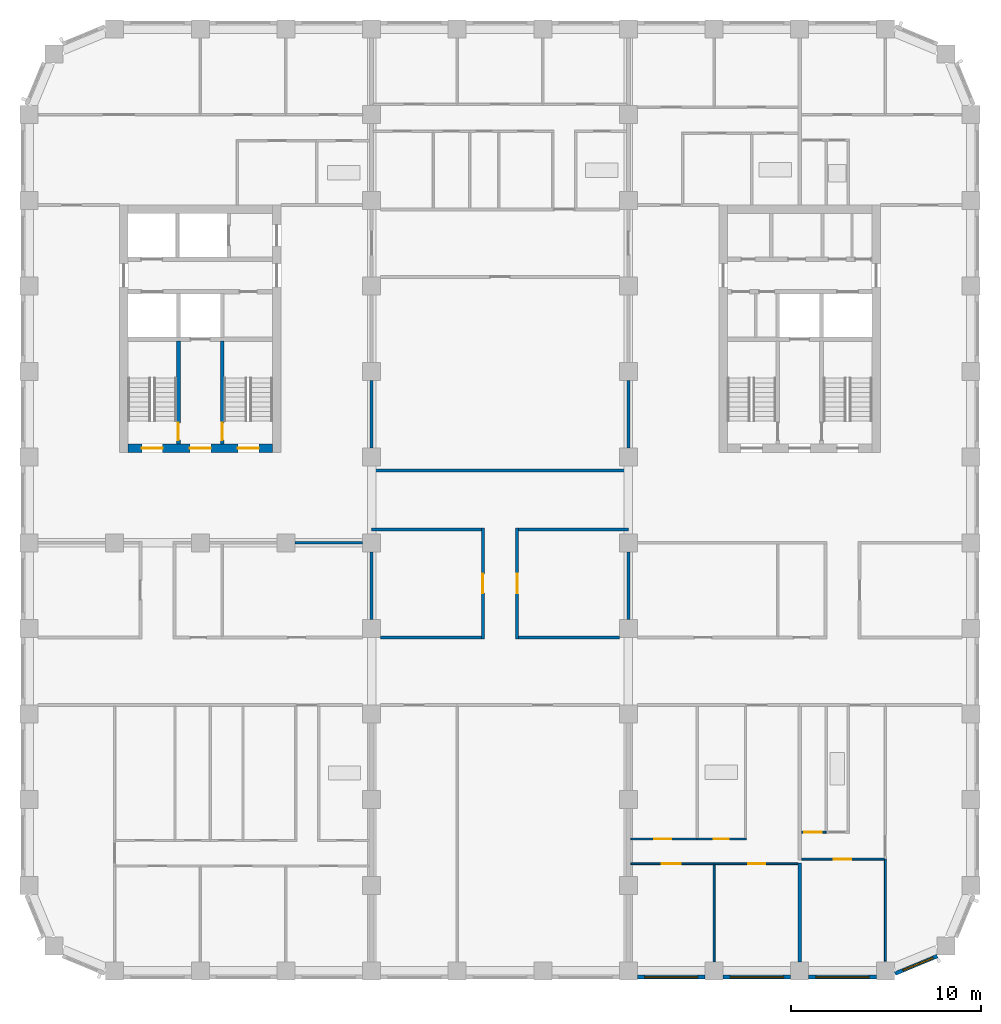
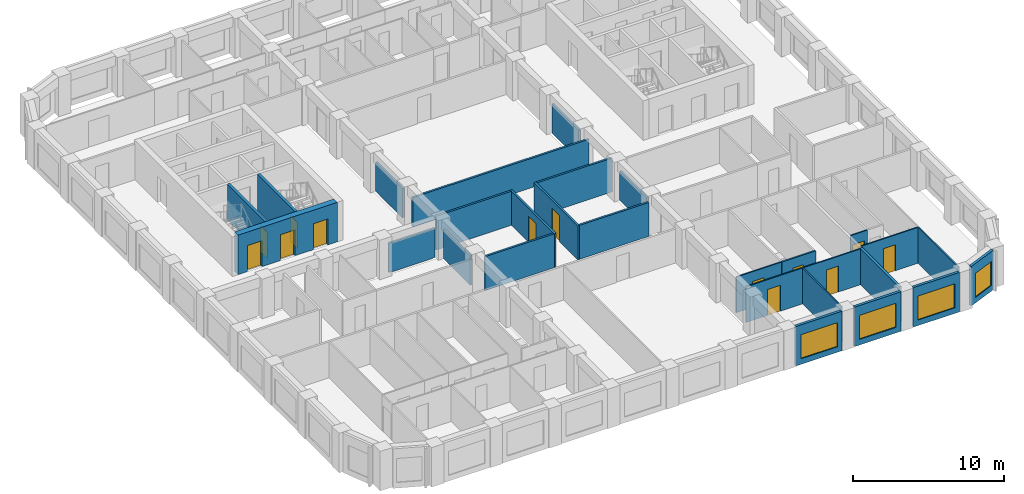
# One storey, part 4 of 13: 28 walls, 13 doors, 4 windows, 17 openings.
"""IFC4 building model written with IfcOpenShell, lengths in metres."""

from ifc_helpers import new_model, si_unit, direction, frame, frame_2d, origin, place, context, subcontext, project, spatial, rectangle, extrude, material, layer, layer_set, type_object, element, fill, save


model = new_model("IFC4")

# Units and contexts
model_context = context("Model", 3, precision=1e-05, world=origin(), true_north=direction((0.0, 1.0)))
body_context = subcontext(model_context, "Body", "Model", "MODEL_VIEW")
ifc_project = project(units=[si_unit("LENGTHUNIT", "METRE"), si_unit("AREAUNIT", "SQUARE_METRE"), si_unit("VOLUMEUNIT", "CUBIC_METRE"), si_unit("PLANEANGLEUNIT", "RADIAN"), si_unit("MASSUNIT", "GRAM", prefix="KILO")], contexts=[model_context])

# Site, building, storey
site_placement = place(None, origin())
site = spatial("IfcSite", under=ifc_project, at=site_placement, CompositionType="ELEMENT")
building_placement = place(site_placement, origin())
building = spatial("IfcBuilding", under=site, at=building_placement, Name="Girih Gate Residences", CompositionType="ELEMENT")
storey_placement = place(building_placement, frame((0.0, 0.0, 136.60009765625)))
storey = spatial("IfcBuildingStorey", under=building, at=storey_placement, Name="L38", CompositionType="ELEMENT", Elevation=136.60009765625)

# Wall, opening, door
ifc_material_1 = material(Name="Gypsum board on steel studs", Category="steel")
ifc_layer_1 = layer(ifc_material_1, 0.14990234375)
ifc_layer_set_1 = layer_set([ifc_layer_1], Name="Compartment wall 150 mm")
wall_type_1 = type_object("IfcWallType", Name="Compartment wall 150 mm", PredefinedType="PARTITIONING", material=ifc_layer_set_1)
wall_1_placement = place(storey_placement, frame((23.85009765625, 17.449951171875, 0.0), z_axis=(0.0, 0.0, 1.0), x_axis=(0.0, 1.0, 0.0)))
wall_1 = element("IfcWall", 1, at=wall_1_placement, inside=storey, type_object=wall_type_1, Name="L38 partition", PredefinedType="PARTITIONING", context=body_context, shape_type="SweptSolid", body=[
    extrude(rectangle(XDim=5.824951171875, YDim=0.14990234375, at=frame_2d((2.91259765625, 0.0))), origin(), (0.0, 0.0, 1.0), 2.75),
])
opening_1_placement = place(wall_1_placement, frame((2.41259765625, 0.0, 0.0)))
opening_1 = element("IfcOpeningElement", 2, at=opening_1_placement, cuts=wall_1, Name="Opening A38-051", PredefinedType="OPENING", context=body_context, shape_type="SweptSolid", body=[
    extrude(rectangle(XDim=1.0, YDim=2.10009765625, at=frame_2d((0.5, 1.050048828125))), frame((0.0, 0.0849609375, 0.0), z_axis=(0.0, -1.0, 0.0), x_axis=(1.0, 0.0, 0.0)), (0.0, 0.0, 1.0), 0.169921875),
])
ifc_material_2 = material(Name="Timber, fire-rated core", Category="wood")
door_type_1 = type_object("IfcDoorType", Name="Amenity room door 1000x2100 FD30S", OperationType="NOTDEFINED", PredefinedType="DOOR", material=ifc_material_2)
door_1_placement = place(opening_1_placement, origin())
door_1 = element("IfcDoor", 3, at=door_1_placement, inside=storey, type_object=door_type_1, Name="Door A38-051", OperationType="SINGLE_SWING_LEFT", OverallHeight=2.10009765625, OverallWidth=1.0, PredefinedType="DOOR", context=body_context, shape_type="SweptSolid", body=[
    extrude(rectangle(XDim=1.0, YDim=2.10009765625, at=frame_2d((0.5, 1.050048828125))), frame((0.0, 0.02490234375, 0.0), z_axis=(0.0, -1.0, 0.0), x_axis=(1.0, 0.0, 0.0)), (0.0, 0.0, 1.0), 0.050048828125),
])
fill(opening_1, door_1)

wall_2_placement = place(storey_placement, frame((25.64990234375, 23.27490234375, 0.0), z_axis=(0.0, 0.0, 1.0), x_axis=(0.0, -1.0, 0.0)))
wall_2 = element("IfcWall", 4, at=wall_2_placement, inside=storey, type_object=wall_type_1, Name="L38 partition", PredefinedType="PARTITIONING", context=body_context, shape_type="SweptSolid", body=[
    extrude(rectangle(XDim=5.824951171875, YDim=0.14990234375, at=frame_2d((2.91259765625, 0.0))), origin(), (0.0, 0.0, 1.0), 2.75),
])
opening_2_placement = place(wall_2_placement, frame((2.41259765625, 0.0, 0.0)))
opening_2 = element("IfcOpeningElement", 5, at=opening_2_placement, cuts=wall_2, Name="Opening A38-052", PredefinedType="OPENING", context=body_context, shape_type="SweptSolid", body=[
    extrude(rectangle(XDim=1.0, YDim=2.10009765625, at=frame_2d((0.5, 1.050048828125))), frame((0.0, 0.0849609375, 0.0), z_axis=(0.0, -1.0, 0.0), x_axis=(1.0, 0.0, 0.0)), (0.0, 0.0, 1.0), 0.169921875),
])
door_2_placement = place(opening_2_placement, origin())
door_2 = element("IfcDoor", 6, at=door_2_placement, inside=storey, type_object=door_type_1, Name="Door A38-052", OperationType="SINGLE_SWING_RIGHT", OverallHeight=2.10009765625, OverallWidth=1.0, PredefinedType="DOOR", context=body_context, shape_type="SweptSolid", body=[
    extrude(rectangle(XDim=1.0, YDim=2.10009765625, at=frame_2d((0.5, 1.050048828125))), frame((0.0, 0.02490234375, 0.0), z_axis=(0.0, -1.0, 0.0), x_axis=(1.0, 0.0, 0.0)), (0.0, 0.0, 1.0), 0.050048828125),
])
fill(opening_2, door_2)

# Walls
for number, where, z_axis, x_axis, name in (
    (7, (18.47509765625, 17.52490234375, 0.0), (0.0, 0.0, 1.0), (1.0, 0.0, 0.0), "L38 partition"),
    (8, (25.72509765625, 17.52490234375, 0.0), (0.0, 0.0, 1.0), (1.0, 0.0, 0.0), "L38 partition"),
):
    element("IfcWall", number, at=place(storey_placement, frame(where, z_axis=z_axis, x_axis=x_axis)), inside=storey, type_object=wall_type_1, Name=name, PredefinedType="PARTITIONING", context=body_context, shape_type="SweptSolid", body=[
        extrude(rectangle(XDim=5.2998046875, YDim=0.14990234375, at=frame_2d((2.64990234375, 0.0))), origin(), (0.0, 0.0, 1.0), 2.75),
    ])
for number, where, z_axis, x_axis, name in (
    (9, (31.5, 27.47509765625, 0.0), (0.0, 0.0, 1.0), (0.0, 1.0, 0.0), "L38 partition"),
    (10, (18.0, 27.47509765625, 0.0), (0.0, 0.0, 1.0), (0.0, 1.0, 0.0), "L38 partition"),
):
    element("IfcWall", number, at=place(storey_placement, frame(where, z_axis=z_axis, x_axis=x_axis)), inside=storey, type_object=wall_type_1, Name=name, PredefinedType="PARTITIONING", context=body_context, shape_type="SweptSolid", body=[
        extrude(rectangle(XDim=3.5498046875, YDim=0.14990234375, at=frame_2d((1.77490234375, 0.0))), origin(), (0.0, 0.0, 1.0), 2.3798828125),
    ])
wall_3_placement = place(storey_placement, frame((18.0, 26.300048828125, 0.0), z_axis=(0.0, 0.0, 1.0), x_axis=(1.0, 0.0, 0.0)))
element("IfcWall", 11, at=wall_3_placement, inside=storey, type_object=wall_type_1, Name="L38 partition", PredefinedType="PARTITIONING", context=body_context, shape_type="SweptSolid", body=[
    extrude(rectangle(XDim=13.5, YDim=0.14990234375, at=frame_2d((6.75, 0.0))), origin(), (0.0, 0.0, 1.0), 2.3798828125),
])
wall_4_placement = place(storey_placement, frame((18.0, 23.199951171875, 0.0), z_axis=(0.0, 0.0, 1.0), x_axis=(1.0, 0.0, 0.0)))
element("IfcWall", 12, at=wall_4_placement, inside=storey, type_object=wall_type_1, Name="L38 partition", PredefinedType="PARTITIONING", context=body_context, shape_type="SweptSolid", body=[
    extrude(rectangle(XDim=5.77490234375, YDim=0.14990234375, at=frame_2d((2.887451171875, 0.0))), origin(), (0.0, 0.0, 1.0), 2.75),
])
wall_5_placement = place(storey_placement, frame((18.0, 18.47509765625, 0.0), z_axis=(0.0, 0.0, 1.0), x_axis=(0.0, 1.0, 0.0)))
element("IfcWall", 13, at=wall_5_placement, inside=storey, type_object=wall_type_1, Name="L38 partition", PredefinedType="PARTITIONING", context=body_context, shape_type="SweptSolid", body=[
    extrude(rectangle(XDim=3.5498046875, YDim=0.14990234375, at=frame_2d((1.77490234375, 0.0))), origin(), (0.0, 0.0, 1.0), 2.3798828125),
])
wall_6_placement = place(storey_placement, frame((25.72509765625, 23.199951171875, 0.0), z_axis=(0.0, 0.0, 1.0), x_axis=(1.0, 0.0, 0.0)))
element("IfcWall", 14, at=wall_6_placement, inside=storey, type_object=wall_type_1, Name="L38 partition", PredefinedType="PARTITIONING", context=body_context, shape_type="SweptSolid", body=[
    extrude(rectangle(XDim=5.77490234375, YDim=0.14990234375, at=frame_2d((2.887451171875, 0.0))), origin(), (0.0, 0.0, 1.0), 2.75),
])
for number, where, z_axis, x_axis, name in (
    (15, (31.5, 18.47509765625, 0.0), (0.0, 0.0, 1.0), (0.0, 1.0, 0.0), "L38 partition"),
    (16, (13.97509765625, 22.5, 0.0), (0.0, 0.0, 1.0), (1.0, 0.0, 0.0), "L38 partition"),
):
    element("IfcWall", number, at=place(storey_placement, frame(where, z_axis=z_axis, x_axis=x_axis)), inside=storey, type_object=wall_type_1, Name=name, PredefinedType="PARTITIONING", context=body_context, shape_type="SweptSolid", body=[
        extrude(rectangle(XDim=3.5498046875, YDim=0.14990234375, at=frame_2d((1.77490234375, 0.0))), origin(), (0.0, 0.0, 1.0), 2.3798828125),
    ])

# Wall, openings, doors
ifc_material_3 = material(Name="Concrete C60/75", Category="concrete")
ifc_layer_2 = layer(ifc_material_3, 0.449951171875)
ifc_layer_set_2 = layer_set([ifc_layer_2], Name="Core wall RC 450 Concrete C60/75")
wall_type_2 = type_object("IfcWallType", Name="Core wall RC 450 Concrete C60/75", PredefinedType="SOLIDWALL", material=ifc_layer_set_2)
wall_7_placement = place(storey_placement, frame((5.199951171875, 27.47509765625, 0.0), z_axis=(0.0, 0.0, 1.0), x_axis=(1.0, 0.0, 0.0)))
wall_7 = element("IfcWall", 17, at=wall_7_placement, inside=storey, type_object=wall_type_2, Name="Core wall W-S L38", PredefinedType="SOLIDWALL", context=body_context, shape_type="SweptSolid", body=[
    extrude(rectangle(XDim=7.60009765625, YDim=0.449951171875, at=frame_2d((3.800048828125, 0.0))), origin(), (0.0, 0.0, 1.0), 3.199951171875),
])
opening_3_placement = place(wall_7_placement, frame((0.72509765625, 0.0, 0.0)))
opening_3 = element("IfcOpeningElement", 18, at=opening_3_placement, cuts=wall_7, Name="Opening D-L38-W-008", PredefinedType="OPENING", context=body_context, shape_type="SweptSolid", body=[
    extrude(rectangle(XDim=1.10009765625, YDim=2.10009765625, at=frame_2d((0.550048828125, 1.050048828125))), frame((0.0, 0.23486328125, 0.0), z_axis=(0.0, -1.0, 0.0), x_axis=(1.0, 0.0, 0.0)), (0.0, 0.0, 1.0), 0.469970703125),
])
opening_4_placement = place(wall_7_placement, frame((3.25, 0.0, 0.0)))
opening_4 = element("IfcOpeningElement", 19, at=opening_4_placement, cuts=wall_7, Name="Opening D-L38-W-009", PredefinedType="OPENING", context=body_context, shape_type="SweptSolid", body=[
    extrude(rectangle(XDim=1.10009765625, YDim=2.10009765625, at=frame_2d((0.550048828125, 1.050048828125))), frame((0.0, 0.23486328125, 0.0), z_axis=(0.0, -1.0, 0.0), x_axis=(1.0, 0.0, 0.0)), (0.0, 0.0, 1.0), 0.469970703125),
])
opening_5_placement = place(wall_7_placement, frame((5.77490234375, 0.0, 0.0)))
opening_5 = element("IfcOpeningElement", 20, at=opening_5_placement, cuts=wall_7, Name="Opening D-L38-W-010", PredefinedType="OPENING", context=body_context, shape_type="SweptSolid", body=[
    extrude(rectangle(XDim=1.10009765625, YDim=2.10009765625, at=frame_2d((0.550048828125, 1.050048828125))), frame((0.0, 0.23486328125, 0.0), z_axis=(0.0, -1.0, 0.0), x_axis=(1.0, 0.0, 0.0)), (0.0, 0.0, 1.0), 0.469970703125),
])
ifc_material_4 = material(Name="Painted steel, fire-resisting", Category="steel")
door_type_2 = type_object("IfcDoorType", Name="Fire door 1100x2100", OperationType="SINGLE_SWING_LEFT", PredefinedType="DOOR", material=ifc_material_4)
door_3_placement = place(opening_3_placement, origin())
door_3 = element("IfcDoor", 21, at=door_3_placement, inside=storey, type_object=door_type_2, Name="L38 W core door sta-out", OperationType="SINGLE_SWING_LEFT", OverallHeight=2.10009765625, OverallWidth=1.10009765625, PredefinedType="DOOR", context=body_context, shape_type="SweptSolid", body=[
    extrude(rectangle(XDim=1.10009765625, YDim=2.10009765625, at=frame_2d((0.550048828125, 1.050048828125))), frame((0.0, 0.02490234375, 0.0), z_axis=(0.0, -1.0, 0.0), x_axis=(1.0, 0.0, 0.0)), (0.0, 0.0, 1.0), 0.050048828125),
])
fill(opening_3, door_3)
door_4_placement = place(opening_4_placement, origin())
door_4 = element("IfcDoor", 22, at=door_4_placement, inside=storey, type_object=door_type_2, Name="L38 W core door ffl-out", OperationType="SINGLE_SWING_LEFT", OverallHeight=2.10009765625, OverallWidth=1.10009765625, PredefinedType="DOOR", context=body_context, shape_type="SweptSolid", body=[
    extrude(rectangle(XDim=1.10009765625, YDim=2.10009765625, at=frame_2d((0.550048828125, 1.050048828125))), frame((0.0, 0.02490234375, 0.0), z_axis=(0.0, -1.0, 0.0), x_axis=(1.0, 0.0, 0.0)), (0.0, 0.0, 1.0), 0.050048828125),
])
fill(opening_4, door_4)
door_5_placement = place(opening_5_placement, origin())
door_5 = element("IfcDoor", 23, at=door_5_placement, inside=storey, type_object=door_type_2, Name="L38 W core door stb-out", OperationType="SINGLE_SWING_LEFT", OverallHeight=2.10009765625, OverallWidth=1.10009765625, PredefinedType="DOOR", context=body_context, shape_type="SweptSolid", body=[
    extrude(rectangle(XDim=1.10009765625, YDim=2.10009765625, at=frame_2d((0.550048828125, 1.050048828125))), frame((0.0, 0.02490234375, 0.0), z_axis=(0.0, -1.0, 0.0), x_axis=(1.0, 0.0, 0.0)), (0.0, 0.0, 1.0), 0.050048828125),
])
fill(opening_5, door_5)

# Wall, opening, door
ifc_layer_3 = layer(ifc_material_1, 0.10009765625)
ifc_layer_set_3 = layer_set([ifc_layer_3], Name="Partition 100 mm")
wall_type_3 = type_object("IfcWallType", Name="Partition 100 mm", PredefinedType="PARTITIONING", material=ifc_layer_set_3)
wall_8_placement = place(storey_placement, frame((44.949951171875, 5.875, 0.0), z_axis=(0.0, 0.0, 1.0), x_axis=(-1.0, 0.0, 0.0)))
wall_8 = element("IfcWall", 24, at=wall_8_placement, inside=storey, type_object=wall_type_3, Name="L38 partition", PredefinedType="PARTITIONING", context=body_context, shape_type="SweptSolid", body=[
    extrude(rectangle(XDim=4.349853515625, YDim=0.10009765625, at=frame_2d((2.1748046875, 0.0))), origin(), (0.0, 0.0, 1.0), 2.89990234375),
])
opening_6_placement = place(wall_8_placement, frame((1.75, 0.0, 0.0)))
opening_6 = element("IfcOpeningElement", 25, at=opening_6_placement, cuts=wall_8, Name="Opening A38-018", PredefinedType="OPENING", context=body_context, shape_type="SweptSolid", body=[
    extrude(rectangle(XDim=0.89990234375, YDim=2.10009765625, at=frame_2d((0.449951171875, 1.050048828125))), frame((0.0, 0.06005859375, 0.0), z_axis=(0.0, -1.0, 0.0), x_axis=(1.0, 0.0, 0.0)), (0.0, 0.0, 1.0), 0.1201171875),
])
ifc_material_5 = material(Name="Timber", Category="wood")
door_type_3 = type_object("IfcDoorType", Name="Bedroom door 900x2100", OperationType="NOTDEFINED", PredefinedType="DOOR", material=ifc_material_5)
door_6_placement = place(opening_6_placement, origin())
door_6 = element("IfcDoor", 26, at=door_6_placement, inside=storey, type_object=door_type_3, Name="Door A38-018", OperationType="SINGLE_SWING_RIGHT", OverallHeight=2.10009765625, OverallWidth=0.89990234375, PredefinedType="DOOR", context=body_context, shape_type="SweptSolid", body=[
    extrude(rectangle(XDim=0.89990234375, YDim=2.10009765625, at=frame_2d((0.449951171875, 1.050048828125))), frame((0.0, 0.02490234375, 0.0), z_axis=(0.0, -1.0, 0.0), x_axis=(1.0, 0.0, 0.0)), (0.0, 0.0, 1.0), 0.050048828125),
])
fill(opening_6, door_6)

# Wall
wall_9_placement = place(storey_placement, frame((45.0, 0.51416015625, 0.0), z_axis=(0.0, 0.0, 1.0), x_axis=(0.0, 1.0, 0.0)))
element("IfcWall", 27, at=wall_9_placement, inside=storey, type_object=wall_type_3, Name="L38 partition", PredefinedType="PARTITIONING", context=body_context, shape_type="SweptSolid", body=[
    extrude(rectangle(XDim=5.36083984375, YDim=0.10009765625, at=frame_2d((2.680419921875, 0.0))), origin(), (0.0, 0.0, 1.0), 2.89990234375),
])

# Wall, opening, door
wall_10_placement = place(storey_placement, frame((40.60009765625, 7.294921875, 0.0), z_axis=(0.0, 0.0, 1.0), x_axis=(1.0, 0.0, 0.0)))
wall_10 = element("IfcWall", 28, at=wall_10_placement, inside=storey, type_object=wall_type_3, Name="L38 partition", PredefinedType="PARTITIONING", context=body_context, shape_type="SweptSolid", body=[
    extrude(rectangle(XDim=1.290771484375, YDim=0.10009765625, at=frame_2d((0.6455078125, 0.0))), origin(), (0.0, 0.0, 1.0), 2.89990234375),
])
opening_7_placement = place(wall_10_placement, frame((0.1455078125, 0.0, 0.0)))
opening_7 = element("IfcOpeningElement", 29, at=opening_7_placement, cuts=wall_10, Name="Opening A38-019", PredefinedType="OPENING", context=body_context, shape_type="SweptSolid", body=[
    extrude(rectangle(XDim=0.89990234375, YDim=2.10009765625, at=frame_2d((0.449951171875, 1.050048828125))), frame((0.0, 0.06005859375, 0.0), z_axis=(0.0, -1.0, 0.0), x_axis=(1.0, 0.0, 0.0)), (0.0, 0.0, 1.0), 0.1201171875),
])
door_type_4 = type_object("IfcDoorType", Name="Kitchen door 900x2100", OperationType="NOTDEFINED", PredefinedType="DOOR", material=ifc_material_5)
door_7_placement = place(opening_7_placement, origin())
door_7 = element("IfcDoor", 30, at=door_7_placement, inside=storey, type_object=door_type_4, Name="Door A38-019", OperationType="SINGLE_SWING_LEFT", OverallHeight=2.10009765625, OverallWidth=0.89990234375, PredefinedType="DOOR", context=body_context, shape_type="SweptSolid", body=[
    extrude(rectangle(XDim=0.89990234375, YDim=2.10009765625, at=frame_2d((0.449951171875, 1.050048828125))), frame((0.0, 0.02490234375, 0.0), z_axis=(0.0, -1.0, 0.0), x_axis=(1.0, 0.0, 0.0)), (0.0, 0.0, 1.0), 0.050048828125),
])
fill(opening_7, door_7)

wall_11_placement = place(storey_placement, frame((40.39990234375, 5.635009765625, 0.0), z_axis=(0.0, 0.0, 1.0), x_axis=(-1.0, 0.0, 0.0)))
wall_11 = element("IfcWall", 31, at=wall_11_placement, inside=storey, type_object=wall_type_3, Name="L38 partition", PredefinedType="PARTITIONING", context=body_context, shape_type="SweptSolid", body=[
    extrude(rectangle(XDim=4.39990234375, YDim=0.10009765625, at=frame_2d((2.199951171875, 0.0))), origin(), (0.0, 0.0, 1.0), 2.89990234375),
])
opening_8_placement = place(wall_11_placement, frame((1.699951171875, 0.0, 0.0)))
opening_8 = element("IfcOpeningElement", 32, at=opening_8_placement, cuts=wall_11, Name="Opening A38-023", PredefinedType="OPENING", context=body_context, shape_type="SweptSolid", body=[
    extrude(rectangle(XDim=0.89990234375, YDim=2.10009765625, at=frame_2d((0.449951171875, 1.050048828125))), frame((0.0, 0.06005859375, 0.0), z_axis=(0.0, -1.0, 0.0), x_axis=(1.0, 0.0, 0.0)), (0.0, 0.0, 1.0), 0.1201171875),
])
door_8_placement = place(opening_8_placement, origin())
door_8 = element("IfcDoor", 33, at=door_8_placement, inside=storey, type_object=door_type_3, Name="Door A38-023", OperationType="SINGLE_SWING_LEFT", OverallHeight=2.10009765625, OverallWidth=0.89990234375, PredefinedType="DOOR", context=body_context, shape_type="SweptSolid", body=[
    extrude(rectangle(XDim=0.89990234375, YDim=2.10009765625, at=frame_2d((0.449951171875, 1.050048828125))), frame((0.0, 0.02490234375, 0.0), z_axis=(0.0, -1.0, 0.0), x_axis=(1.0, 0.0, 0.0)), (0.0, 0.0, 1.0), 0.050048828125),
])
fill(opening_8, door_8)

# Wall
wall_12_placement = place(storey_placement, frame((36.0, 0.47509765625, 0.0), z_axis=(0.0, 0.0, 1.0), x_axis=(0.0, 1.0, 0.0)))
element("IfcWall", 34, at=wall_12_placement, inside=storey, type_object=wall_type_3, Name="L38 partition", PredefinedType="PARTITIONING", context=body_context, shape_type="SweptSolid", body=[
    extrude(rectangle(XDim=5.10986328125, YDim=0.10009765625, at=frame_2d((2.554931640625, 0.0))), origin(), (0.0, 0.0, 1.0), 2.89990234375),
])

# Wall, opening, door
wall_13_placement = place(storey_placement, frame((31.625, 6.93505859375, 0.0), z_axis=(0.0, 0.0, 1.0), x_axis=(1.0, 0.0, 0.0)))
wall_13 = element("IfcWall", 35, at=wall_13_placement, inside=storey, type_object=wall_type_3, Name="L38 partition", PredefinedType="PARTITIONING", context=body_context, shape_type="SweptSolid", body=[
    extrude(rectangle(XDim=3.485595703125, YDim=0.10009765625, at=frame_2d((1.74267578125, 0.0))), origin(), (0.0, 0.0, 1.0), 2.89990234375),
])
opening_9_placement = place(wall_13_placement, frame((1.23046875, 0.0, 0.0)))
opening_9 = element("IfcOpeningElement", 36, at=opening_9_placement, cuts=wall_13, Name="Opening A38-024", PredefinedType="OPENING", context=body_context, shape_type="SweptSolid", body=[
    extrude(rectangle(XDim=0.89990234375, YDim=2.10009765625, at=frame_2d((0.449951171875, 1.050048828125))), frame((0.0, 0.06005859375, 0.0), z_axis=(0.0, -1.0, 0.0), x_axis=(1.0, 0.0, 0.0)), (0.0, 0.0, 1.0), 0.1201171875),
])
door_9_placement = place(opening_9_placement, origin())
door_9 = element("IfcDoor", 37, at=door_9_placement, inside=storey, type_object=door_type_4, Name="Door A38-024", OperationType="SINGLE_SWING_LEFT", OverallHeight=2.10009765625, OverallWidth=0.89990234375, PredefinedType="DOOR", context=body_context, shape_type="SweptSolid", body=[
    extrude(rectangle(XDim=0.89990234375, YDim=2.10009765625, at=frame_2d((0.449951171875, 1.050048828125))), frame((0.0, 0.02490234375, 0.0), z_axis=(0.0, -1.0, 0.0), x_axis=(1.0, 0.0, 0.0)), (0.0, 0.0, 1.0), 0.050048828125),
])
fill(opening_9, door_9)

wall_14_placement = place(storey_placement, frame((36.0, 5.635009765625, 0.0), z_axis=(0.0, 0.0, 1.0), x_axis=(-1.0, 0.0, 0.0)))
wall_14 = element("IfcWall", 38, at=wall_14_placement, inside=storey, type_object=wall_type_3, Name="L38 partition", PredefinedType="PARTITIONING", context=body_context, shape_type="SweptSolid", body=[
    extrude(rectangle(XDim=4.375, YDim=0.10009765625, at=frame_2d((2.1875, 0.0))), origin(), (0.0, 0.0, 1.0), 2.89990234375),
])
opening_10_placement = place(wall_14_placement, frame((1.75, 0.0, 0.0)))
opening_10 = element("IfcOpeningElement", 39, at=opening_10_placement, cuts=wall_14, Name="Opening A38-025", PredefinedType="OPENING", context=body_context, shape_type="SweptSolid", body=[
    extrude(rectangle(XDim=1.0, YDim=2.10009765625, at=frame_2d((0.5, 1.050048828125))), frame((0.0, 0.06005859375, 0.0), z_axis=(0.0, -1.0, 0.0), x_axis=(1.0, 0.0, 0.0)), (0.0, 0.0, 1.0), 0.1201171875),
])
door_type_5 = type_object("IfcDoorType", Name="Living room door 1000x2100", OperationType="NOTDEFINED", PredefinedType="DOOR", material=ifc_material_5)
door_10_placement = place(opening_10_placement, origin())
door_10 = element("IfcDoor", 40, at=door_10_placement, inside=storey, type_object=door_type_5, Name="Door A38-025", OperationType="SINGLE_SWING_RIGHT", OverallHeight=2.10009765625, OverallWidth=1.0, PredefinedType="DOOR", context=body_context, shape_type="SweptSolid", body=[
    extrude(rectangle(XDim=1.0, YDim=2.10009765625, at=frame_2d((0.5, 1.050048828125))), frame((0.0, 0.02490234375, 0.0), z_axis=(0.0, -1.0, 0.0), x_axis=(1.0, 0.0, 0.0)), (0.0, 0.0, 1.0), 0.050048828125),
])
fill(opening_10, door_10)

# Wall
ifc_layer_4 = layer(ifc_material_1, 0.199951171875)
ifc_layer_set_4 = layer_set([ifc_layer_4], Name="Party wall 200 mm")
wall_type_4 = type_object("IfcWallType", Name="Party wall 200 mm", PredefinedType="PARTITIONING", material=ifc_layer_set_4)
wall_15_placement = place(storey_placement, frame((40.5, 0.47509765625, 0.0), z_axis=(0.0, 0.0, 1.0), x_axis=(0.0, 1.0, 0.0)))
element("IfcWall", 41, at=wall_15_placement, inside=storey, type_object=wall_type_4, Name="L38 partition", PredefinedType="PARTITIONING", context=body_context, shape_type="SweptSolid", body=[
    extrude(rectangle(XDim=5.2099609375, YDim=0.199951171875, at=frame_2d((2.60498046875, 0.0))), origin(), (0.0, 0.0, 1.0), 2.89990234375),
])

# Wall, opening, window
ifc_material_6 = material(Name="Precast concrete C50/60", Category="concrete")
ifc_layer_5 = layer(ifc_material_6, 0.06005859375, Name="Outer leaf")
ifc_material_7 = material(Name="Rigid PIR insulation")
ifc_layer_6 = layer(ifc_material_7, 0.090087890625, Name="Insulation")
ifc_material_8 = material(Name="Precast concrete C40/50", Category="concrete")
ifc_layer_7 = layer(ifc_material_8, 0.050048828125, Name="Inner leaf")
ifc_layer_set_5 = layer_set([ifc_layer_5, ifc_layer_6, ifc_layer_7], Name="Precast concrete C50/60 external wall 200")
wall_type_5 = type_object("IfcWallType", Name="Precast concrete C50/60 external wall 200", PredefinedType="SOLIDWALL", material=ifc_layer_set_5)
wall_16_placement = place(storey_placement, frame((35.52490234375, -0.324951171875, 0.0), z_axis=(0.0, 0.0, 1.0), x_axis=(-1.0, 0.0, 0.0)))
wall_16 = element("IfcWall", 42, at=wall_16_placement, inside=storey, type_object=wall_type_5, Name="External wall S0045_0000.6", PredefinedType="SOLIDWALL", context=body_context, shape_type="SweptSolid", body=[
    extrude(rectangle(XDim=3.5498046875, YDim=0.199951171875, at=frame_2d((1.77490234375, 0.0))), origin(), (0.0, 0.0, 1.0), 3.199951171875),
])
opening_11_placement = place(wall_16_placement, frame((0.375, 0.0, 0.449951171875)))
opening_11 = element("IfcOpeningElement", 43, at=opening_11_placement, cuts=wall_16, Name="Opening W-1B", PredefinedType="OPENING", context=body_context, shape_type="SweptSolid", body=[
    extrude(rectangle(XDim=2.800048828125, YDim=1.949951171875, at=frame_2d((1.39990234375, 0.97509765625))), frame((0.0, 0.10986328125, 0.0), z_axis=(0.0, -1.0, 0.0), x_axis=(1.0, 0.0, 0.0)), (0.0, 0.0, 1.0), 0.219970703125),
])
ifc_material_9 = material(Name="Double glazing in aluminium frame", Category="aluminium")
window_type_1 = type_object("IfcWindowType", Name="Window W-1B 2800x1950", PartitioningType="SINGLE_PANEL", PredefinedType="WINDOW", material=ifc_material_9)
window_1_placement = place(opening_11_placement, origin())
window_1 = element("IfcWindow", 44, at=window_1_placement, inside=storey, type_object=window_type_1, Name="Window W-1B S0045_0000.6", OverallHeight=1.949951171875, OverallWidth=2.800048828125, PartitioningType="SINGLE_PANEL", PredefinedType="WINDOW", context=body_context, shape_type="SweptSolid", body=[
    extrude(rectangle(XDim=2.800048828125, YDim=1.949951171875, at=frame_2d((1.39990234375, 0.97509765625))), frame((0.0, 0.030029296875, 0.0), z_axis=(0.0, -1.0, 0.0), x_axis=(1.0, 0.0, 0.0)), (0.0, 0.0, 1.0), 0.06005859375),
])
fill(opening_11, window_1)

wall_17_placement = place(storey_placement, frame((40.02490234375, -0.324951171875, 0.0), z_axis=(0.0, 0.0, 1.0), x_axis=(-1.0, 0.0, 0.0)))
wall_17 = element("IfcWall", 45, at=wall_17_placement, inside=storey, type_object=wall_type_5, Name="External wall S0045_0000.7", PredefinedType="SOLIDWALL", context=body_context, shape_type="SweptSolid", body=[
    extrude(rectangle(XDim=3.5498046875, YDim=0.199951171875, at=frame_2d((1.77490234375, 0.0))), origin(), (0.0, 0.0, 1.0), 3.199951171875),
])
opening_12_placement = place(wall_17_placement, frame((0.375, 0.0, 0.449951171875)))
opening_12 = element("IfcOpeningElement", 46, at=opening_12_placement, cuts=wall_17, Name="Opening W-1B", PredefinedType="OPENING", context=body_context, shape_type="SweptSolid", body=[
    extrude(rectangle(XDim=2.800048828125, YDim=1.949951171875, at=frame_2d((1.39990234375, 0.97509765625))), frame((0.0, 0.10986328125, 0.0), z_axis=(0.0, -1.0, 0.0), x_axis=(1.0, 0.0, 0.0)), (0.0, 0.0, 1.0), 0.219970703125),
])
window_2_placement = place(opening_12_placement, origin())
window_2 = element("IfcWindow", 47, at=window_2_placement, inside=storey, type_object=window_type_1, Name="Window W-1B S0045_0000.7", OverallHeight=1.949951171875, OverallWidth=2.800048828125, PartitioningType="SINGLE_PANEL", PredefinedType="WINDOW", context=body_context, shape_type="SweptSolid", body=[
    extrude(rectangle(XDim=2.800048828125, YDim=1.949951171875, at=frame_2d((1.39990234375, 0.97509765625))), frame((0.0, 0.030029296875, 0.0), z_axis=(0.0, -1.0, 0.0), x_axis=(1.0, 0.0, 0.0)), (0.0, 0.0, 1.0), 0.06005859375),
])
fill(opening_12, window_2)

wall_18_placement = place(storey_placement, frame((44.52490234375, -0.324951171875, 0.0), z_axis=(0.0, 0.0, 1.0), x_axis=(-1.0, 0.0, 0.0)))
wall_18 = element("IfcWall", 48, at=wall_18_placement, inside=storey, type_object=wall_type_5, Name="External wall S0045_0000.8", PredefinedType="SOLIDWALL", context=body_context, shape_type="SweptSolid", body=[
    extrude(rectangle(XDim=3.5498046875, YDim=0.199951171875, at=frame_2d((1.77490234375, 0.0))), origin(), (0.0, 0.0, 1.0), 3.199951171875),
])
opening_13_placement = place(wall_18_placement, frame((0.375, 0.0, 0.449951171875)))
opening_13 = element("IfcOpeningElement", 49, at=opening_13_placement, cuts=wall_18, Name="Opening W-1B", PredefinedType="OPENING", context=body_context, shape_type="SweptSolid", body=[
    extrude(rectangle(XDim=2.800048828125, YDim=1.949951171875, at=frame_2d((1.39990234375, 0.97509765625))), frame((0.0, 0.10986328125, 0.0), z_axis=(0.0, -1.0, 0.0), x_axis=(1.0, 0.0, 0.0)), (0.0, 0.0, 1.0), 0.219970703125),
])
window_3_placement = place(opening_13_placement, origin())
window_3 = element("IfcWindow", 50, at=window_3_placement, inside=storey, type_object=window_type_1, Name="Window W-1B S0045_0000.8", OverallHeight=1.949951171875, OverallWidth=2.800048828125, PartitioningType="SINGLE_PANEL", PredefinedType="WINDOW", context=body_context, shape_type="SweptSolid", body=[
    extrude(rectangle(XDim=2.800048828125, YDim=1.949951171875, at=frame_2d((1.39990234375, 0.97509765625))), frame((0.0, 0.030029296875, 0.0), z_axis=(0.0, -1.0, 0.0), x_axis=(1.0, 0.0, 0.0)), (0.0, 0.0, 1.0), 0.06005859375),
])
fill(opening_13, window_3)

wall_19_placement = place(storey_placement, frame((47.73291015625, 0.7802734375, 0.0), z_axis=(0.0, 0.0, 1.0), x_axis=(-0.923880599843, -0.382680855588, 0.0)))
wall_19 = element("IfcWall", 51, at=wall_19_placement, inside=storey, type_object=wall_type_5, Name="External wall SE0450_0000.0", PredefinedType="SOLIDWALL", context=body_context, shape_type="SweptSolid", body=[
    extrude(rectangle(XDim=2.402587890625, YDim=0.199951171875, at=frame_2d((1.201171875, 0.0))), origin(), (0.0, 0.0, 1.0), 3.199951171875),
])
opening_14_placement = place(wall_19_placement, frame((0.25146484375, 0.0, 0.449951171875)))
opening_14 = element("IfcOpeningElement", 52, at=opening_14_placement, cuts=wall_19, Name="Opening W-2E", PredefinedType="OPENING", context=body_context, shape_type="SweptSolid", body=[
    extrude(rectangle(XDim=1.699951171875, YDim=1.949951171875, at=frame_2d((0.85009765625, 0.97509765625))), frame((0.0, 0.10986328125, 0.0), z_axis=(0.0, -1.0, 0.0), x_axis=(1.0, 0.0, 0.0)), (0.0, 0.0, 1.0), 0.219970703125),
])
window_type_2 = type_object("IfcWindowType", Name="Window W-2E 1700x1950", PartitioningType="SINGLE_PANEL", PredefinedType="WINDOW", material=ifc_material_9)
window_4_placement = place(opening_14_placement, origin())
window_4 = element("IfcWindow", 53, at=window_4_placement, inside=storey, type_object=window_type_2, Name="Window W-2E SE0450_0000.0", OverallHeight=1.949951171875, OverallWidth=1.699951171875, PartitioningType="SINGLE_PANEL", PredefinedType="WINDOW", context=body_context, shape_type="SweptSolid", body=[
    extrude(rectangle(XDim=1.699951171875, YDim=1.949951171875, at=frame_2d((0.85009765625, 0.97509765625))), frame((0.0, 0.030029296875, 0.0), z_axis=(0.0, -1.0, 0.0), x_axis=(1.0, 0.0, 0.0)), (0.0, 0.0, 1.0), 0.06005859375),
])
fill(opening_14, window_4)

# Wall, opening, door
ifc_material_10 = material(Name="Concrete C40/50", Category="concrete")
ifc_layer_8 = layer(ifc_material_10, 0.199951171875)
ifc_layer_set_6 = layer_set([ifc_layer_8], Name="Shaft wall 200")
wall_type_6 = type_object("IfcWallType", Name="Shaft wall 200", PredefinedType="SOLIDWALL", material=ifc_layer_set_6)
wall_20_placement = place(storey_placement, frame((7.85009765625, 27.699951171875, 0.0), z_axis=(0.0, 0.0, 1.0), x_axis=(0.0, 1.0, 0.0)))
wall_20 = element("IfcWall", 54, at=wall_20_placement, inside=storey, type_object=wall_type_6, Name="L38 W core wall V1a", PredefinedType="SOLIDWALL", context=body_context, shape_type="SweptSolid", body=[
    extrude(rectangle(XDim=5.400146484375, YDim=0.199951171875, at=frame_2d((2.7001953125, 0.0))), origin(), (0.0, 0.0, 1.0), 2.89990234375),
])
opening_15_placement = place(wall_20_placement, frame((0.199951171875, 0.0, 0.0)))
opening_15 = element("IfcOpeningElement", 55, at=opening_15_placement, cuts=wall_20, Name="Opening D-L38-W-001", PredefinedType="OPENING", context=body_context, shape_type="SweptSolid", body=[
    extrude(rectangle(XDim=0.89990234375, YDim=2.10009765625, at=frame_2d((0.449951171875, 1.050048828125))), frame((0.0, 0.10986328125, 0.0), z_axis=(0.0, -1.0, 0.0), x_axis=(1.0, 0.0, 0.0)), (0.0, 0.0, 1.0), 0.219970703125),
])
door_type_6 = type_object("IfcDoorType", Name="Fire door 900x2100", OperationType="SINGLE_SWING_LEFT", PredefinedType="DOOR", material=ifc_material_4)
door_11_placement = place(opening_15_placement, origin())
door_11 = element("IfcDoor", 56, at=door_11_placement, inside=storey, type_object=door_type_6, Name="L38 W door stair 1 to firefighting lobby", OperationType="SINGLE_SWING_LEFT", OverallHeight=2.10009765625, OverallWidth=0.89990234375, PredefinedType="DOOR", context=body_context, shape_type="SweptSolid", body=[
    extrude(rectangle(XDim=0.89990234375, YDim=2.10009765625, at=frame_2d((0.449951171875, 1.050048828125))), frame((0.0, 0.02490234375, 0.0), z_axis=(0.0, -1.0, 0.0), x_axis=(1.0, 0.0, 0.0)), (0.0, 0.0, 1.0), 0.050048828125),
])
fill(opening_15, door_11)

wall_21_placement = place(storey_placement, frame((10.14990234375, 27.699951171875, 0.0), z_axis=(0.0, 0.0, 1.0), x_axis=(0.0, 1.0, 0.0)))
wall_21 = element("IfcWall", 57, at=wall_21_placement, inside=storey, type_object=wall_type_6, Name="L38 W core wall V2a", PredefinedType="SOLIDWALL", context=body_context, shape_type="SweptSolid", body=[
    extrude(rectangle(XDim=5.400146484375, YDim=0.199951171875, at=frame_2d((2.7001953125, 0.0))), origin(), (0.0, 0.0, 1.0), 2.89990234375),
])
opening_16_placement = place(wall_21_placement, frame((0.199951171875, 0.0, 0.0)))
opening_16 = element("IfcOpeningElement", 58, at=opening_16_placement, cuts=wall_21, Name="Opening D-L38-W-002", PredefinedType="OPENING", context=body_context, shape_type="SweptSolid", body=[
    extrude(rectangle(XDim=0.89990234375, YDim=2.10009765625, at=frame_2d((0.449951171875, 1.050048828125))), frame((0.0, 0.10986328125, 0.0), z_axis=(0.0, -1.0, 0.0), x_axis=(1.0, 0.0, 0.0)), (0.0, 0.0, 1.0), 0.219970703125),
])
door_12_placement = place(opening_16_placement, origin())
door_12 = element("IfcDoor", 59, at=door_12_placement, inside=storey, type_object=door_type_6, Name="L38 W door stair 2 to firefighting lobby", OperationType="SINGLE_SWING_LEFT", OverallHeight=2.10009765625, OverallWidth=0.89990234375, PredefinedType="DOOR", context=body_context, shape_type="SweptSolid", body=[
    extrude(rectangle(XDim=0.89990234375, YDim=2.10009765625, at=frame_2d((0.449951171875, 1.050048828125))), frame((0.0, 0.02490234375, 0.0), z_axis=(0.0, -1.0, 0.0), x_axis=(1.0, 0.0, 0.0)), (0.0, 0.0, 1.0), 0.050048828125),
])
fill(opening_16, door_12)

ifc_layer_9 = layer(ifc_material_1, 0.125)
ifc_layer_set_7 = layer_set([ifc_layer_9], Name="Wet room wall 125 mm")
wall_type_7 = type_object("IfcWallType", Name="Wet room wall 125 mm", PredefinedType="PARTITIONING", material=ifc_layer_set_7)
wall_22_placement = place(storey_placement, frame((35.110595703125, 6.93505859375, 0.0), z_axis=(0.0, 0.0, 1.0), x_axis=(1.0, 0.0, 0.0)))
wall_22 = element("IfcWall", 60, at=wall_22_placement, inside=storey, type_object=wall_type_7, Name="L38 partition", PredefinedType="PARTITIONING", context=body_context, shape_type="SweptSolid", body=[
    extrude(rectangle(XDim=2.601806640625, YDim=0.125, at=frame_2d((1.30078125, 0.0))), origin(), (0.0, 0.0, 1.0), 2.89990234375),
])
opening_17_placement = place(wall_22_placement, frame((0.86962890625, 0.0, 0.0)))
opening_17 = element("IfcOpeningElement", 61, at=opening_17_placement, cuts=wall_22, Name="Opening A38-022", PredefinedType="OPENING", context=body_context, shape_type="SweptSolid", body=[
    extrude(rectangle(XDim=0.800048828125, YDim=2.10009765625, at=frame_2d((0.39990234375, 1.050048828125))), frame((0.0, 0.072509765625, 0.0), z_axis=(0.0, -1.0, 0.0), x_axis=(1.0, 0.0, 0.0)), (0.0, 0.0, 1.0), 0.14501953125),
])
door_type_7 = type_object("IfcDoorType", Name="Bathroom door 800x2100", OperationType="NOTDEFINED", PredefinedType="DOOR", material=ifc_material_5)
door_13_placement = place(opening_17_placement, origin())
door_13 = element("IfcDoor", 62, at=door_13_placement, inside=storey, type_object=door_type_7, Name="Door A38-022", OperationType="SINGLE_SWING_LEFT", OverallHeight=2.10009765625, OverallWidth=0.800048828125, PredefinedType="DOOR", context=body_context, shape_type="SweptSolid", body=[
    extrude(rectangle(XDim=0.800048828125, YDim=2.10009765625, at=frame_2d((0.39990234375, 1.050048828125))), frame((0.0, 0.02490234375, 0.0), z_axis=(0.0, -1.0, 0.0), x_axis=(1.0, 0.0, 0.0)), (0.0, 0.0, 1.0), 0.050048828125),
])
fill(opening_17, door_13)

save(model, "model.ifc")
